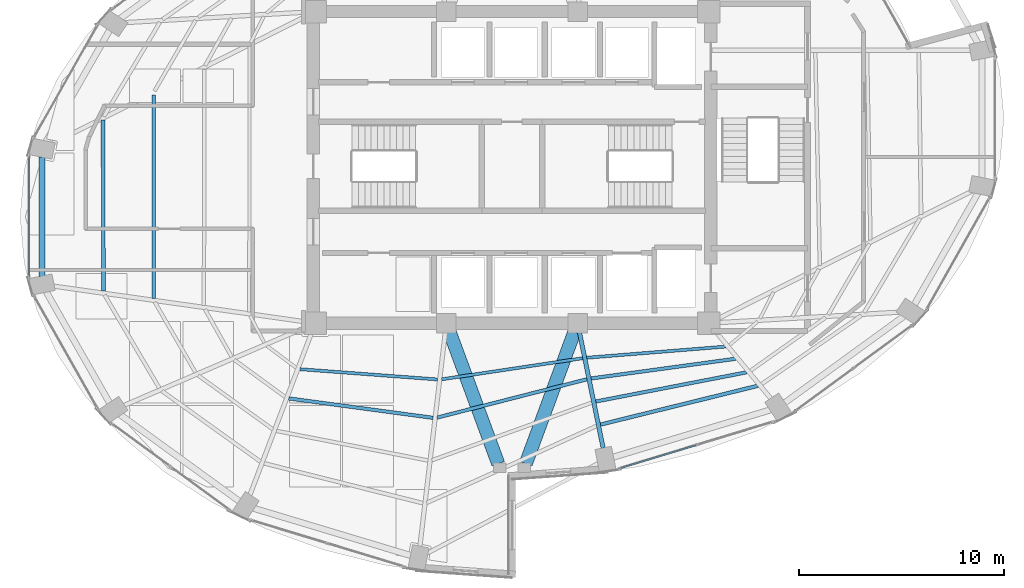
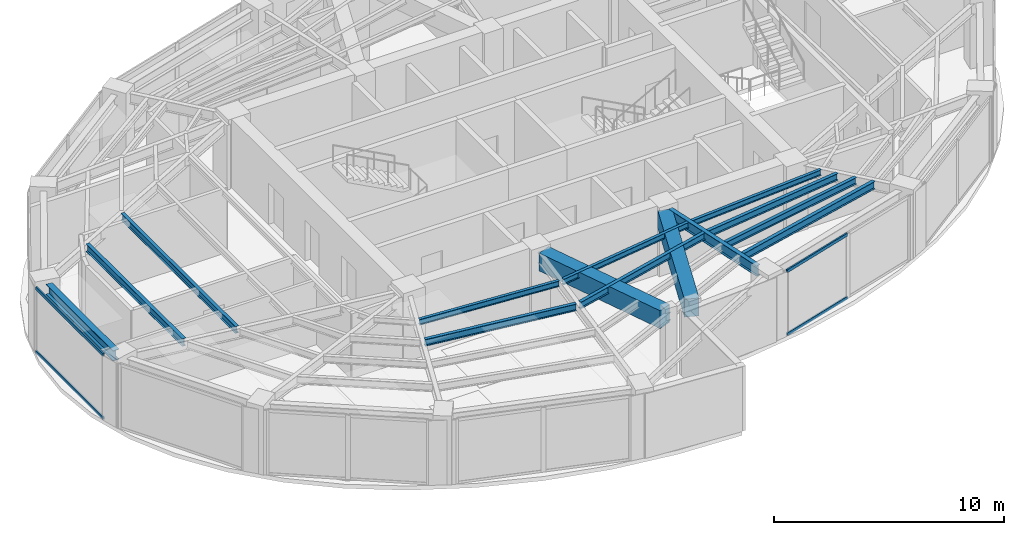
# One storey, part 5 of 19: 14 beams, 4 members, 2 elements without a shape of their own.
"""IFC4 building model written with IfcOpenShell, lengths in metres."""

from ifc_helpers import new_model, si_unit, direction, frame, origin, origin_2d, place, context, subcontext, project, spatial, rectangle, hollow_rectangle, i_section, extrude, material, layer, layer_set, material_profile, profile_set, type_object, element, aggregate, save


model = new_model("IFC4")

# Units and contexts
model_context = context("Model", 3, precision=1e-05, world=origin(), true_north=direction((0.0, 1.0)))
body_context = subcontext(model_context, "Body", "Model", "MODEL_VIEW")
ifc_project = project(units=[si_unit("LENGTHUNIT", "METRE"), si_unit("AREAUNIT", "SQUARE_METRE"), si_unit("VOLUMEUNIT", "CUBIC_METRE"), si_unit("PLANEANGLEUNIT", "RADIAN"), si_unit("MASSUNIT", "GRAM", prefix="KILO")], contexts=[model_context])

# Site, building, storey
site_placement = place(None, origin())
site = spatial("IfcSite", under=ifc_project, at=site_placement, CompositionType="ELEMENT")
building_placement = place(site_placement, origin())
building = spatial("IfcBuilding", under=site, at=building_placement, Name="Lazwardi Medical Tower", CompositionType="ELEMENT")
storey_placement = place(building_placement, frame((0.0, 0.0, 167.471923828125)))
storey = spatial("IfcBuildingStorey", under=building, at=storey_placement, Name="L43", CompositionType="ELEMENT", Elevation=167.471923828125)

# Beams
ifc_material_1 = material(Name="Concrete C60/75", Category="concrete")
ifc_material_profile_1 = material_profile(ifc_material_1, rectangle(XDim=0.64990234375, YDim=0.949951171875, at=origin_2d()), Name="RC 650x950")
ifc_profile_set_1 = profile_set([ifc_material_profile_1], Name="Concrete C60/75")
beam_type_1 = type_object("IfcBeamType", Name="BM-CB-RC2", PredefinedType="LINTEL", material=ifc_profile_set_1)
for number, where, z_axis, x_axis, name in (
    (1, (32.959228515625, 19.968505859375, 2.953125), (0.34601281054, -0.938229787921, 0.0), (0.938229787921, 0.34601281054, 0.0), "Core coupling lintel CB-02 PL3 L43"),
    (2, (39.040771484375, 19.968505859375, 2.953125), (-0.34601281054, -0.938229787921, 0.0), (0.938229787921, -0.34601281054, 0.0), "Core coupling lintel CB-02 PL4 L43"),
):
    element("IfcBeam", number, at=place(storey_placement, frame(where, z_axis=z_axis, x_axis=x_axis)), inside=storey, type_object=beam_type_1, Name=name, PredefinedType="LINTEL", context=body_context, shape_type="SweptSolid", body=[
        extrude(rectangle(XDim=0.64990234375, YDim=0.949951171875, at=origin_2d()), origin(), (0.0, 0.0, 1.0), 6.84423828125),
    ])
ifc_material_2 = material(Name="Steel S355", Category="steel")
ifc_material_profile_2 = material_profile(ifc_material_2, i_section(OverallWidth=0.300048828125, OverallDepth=0.550048828125, WebThickness=0.014892578125, FlangeThickness=0.029052734375, at=origin_2d()), Name="HEB 550")
ifc_profile_set_2 = profile_set([ifc_material_profile_2], Name="Steel S355")
beam_type_2 = type_object("IfcBeamType", Name="BM-RB-Z3", PredefinedType="BEAM", material=ifc_profile_set_2)
beam_1_placement = place(storey_placement, frame((13.07421875, 28.51171875, 3.153076171875), z_axis=(0.0, -1.0, 0.0), x_axis=(1.0, 0.0, 0.0)))
element("IfcBeam", 3, at=beam_1_placement, inside=storey, type_object=beam_type_2, Name="Ring beam RB-04 B12 L43", PredefinedType="BEAM", context=body_context, shape_type="SweptSolid", body=[
    extrude(i_section(OverallWidth=0.300048828125, OverallDepth=0.550048828125, WebThickness=0.014892578125, FlangeThickness=0.029052734375, at=origin_2d()), origin(), (0.0, 0.0, 1.0), 5.823486328125),
])
ifc_material_profile_3 = material_profile(ifc_material_2, i_section(OverallWidth=0.2099609375, OverallDepth=0.550048828125, WebThickness=0.010986328125, FlangeThickness=0.01708984375, at=origin_2d()), Name="IPE 550")
ifc_profile_set_3 = profile_set([ifc_material_profile_3], Name="Steel S355")
beam_type_3 = type_object("IfcBeamType", Name="BM-RG-W2", PredefinedType="BEAM", material=ifc_profile_set_3)
beam_2_placement = place(storey_placement, frame((40.447998046875, 14.2998046875, 3.153076171875), z_axis=(-0.200429485343, 0.979708130723, 0.0), x_axis=(-0.979708130723, -0.200429485343, 0.0)))
element("IfcBeam", 4, at=beam_2_placement, inside=storey, type_object=beam_type_3, Name="Radial girder RG-03 R01 L43", PredefinedType="BEAM", context=body_context, shape_type="SweptSolid", body=[
    extrude(i_section(OverallWidth=0.2099609375, OverallDepth=0.550048828125, WebThickness=0.010986328125, FlangeThickness=0.01708984375, at=origin_2d()), origin(), (0.0, 0.0, 1.0), 5.766357421875),
])
ifc_material_profile_4 = material_profile(ifc_material_2, i_section(OverallWidth=0.179931640625, OverallDepth=0.39990234375, WebThickness=0.008544921875, FlangeThickness=0.013427734375, at=origin_2d()), Name="IPE 400")
ifc_profile_set_4 = profile_set([ifc_material_profile_4], Name="Steel S355")
beam_type_4 = type_object("IfcBeamType", Name="BM-SJ-01", PredefinedType="JOIST", material=ifc_profile_set_4)
beam_3_placement = place(storey_placement, frame((40.31396484375, 15.45361328125, 3.22802734375), z_axis=(0.970912648168, 0.239433977597, 0.0), x_axis=(-0.239433977597, 0.970912648168, 0.0)))
element("IfcBeam", 5, at=beam_3_placement, inside=storey, type_object=beam_type_4, Name="Secondary joist SJ-01 R1 B01 L43", PredefinedType="JOIST", context=body_context, shape_type="SweptSolid", body=[
    extrude(i_section(OverallWidth=0.179931640625, OverallDepth=0.39990234375, WebThickness=0.008544921875, FlangeThickness=0.013427734375, at=origin_2d()), origin(), (0.0, 0.0, 1.0), 7.91162109375),
])
beam_4_placement = place(storey_placement, frame((16.04443359375, 30.30224609375, 3.22802734375), z_axis=(0.003864366017, -0.99999253331, 0.0), x_axis=(0.99999253331, 0.003864366017, 0.0)))
element("IfcBeam", 6, at=beam_4_placement, inside=storey, type_object=beam_type_4, Name="Secondary joist SJ-01 R1 B12 L43", PredefinedType="JOIST", context=body_context, shape_type="SweptSolid", body=[
    extrude(i_section(OverallWidth=0.179931640625, OverallDepth=0.39990234375, WebThickness=0.008544921875, FlangeThickness=0.013427734375, at=origin_2d()), origin(), (0.0, 0.0, 1.0), 8.33935546875),
])
ifc_material_profile_5 = material_profile(ifc_material_2, i_section(OverallWidth=0.169921875, OverallDepth=0.360107421875, WebThickness=0.008056640625, FlangeThickness=0.0126953125, at=origin_2d()), Name="IPE 360")
ifc_profile_set_5 = profile_set([ifc_material_profile_5], Name="Steel S355")
beam_type_5 = type_object("IfcBeamType", Name="BM-SJ-02", PredefinedType="JOIST", material=ifc_profile_set_5)
beam_5_placement = place(storey_placement, frame((40.083984375, 16.57861328125, 3.248046875), z_axis=(0.981753035865, 0.190160396953, 0.0), x_axis=(-0.190160396953, 0.981753035865, 0.0)))
element("IfcBeam", 7, at=beam_5_placement, inside=storey, type_object=beam_type_5, Name="Secondary joist SJ-02 R2 B01 L43", PredefinedType="JOIST", context=body_context, shape_type="SweptSolid", body=[
    extrude(i_section(OverallWidth=0.169921875, OverallDepth=0.360107421875, WebThickness=0.008056640625, FlangeThickness=0.0126953125, at=origin_2d()), origin(), (0.0, 0.0, 1.0), 7.50927734375),
])
beam_6_placement = place(storey_placement, frame((18.513671875, 31.541748046875, 3.248046875), z_axis=(0.001156040156, -0.999999331785, 0.0), x_axis=(0.999999331785, 0.001156040156, 0.0)))
element("IfcBeam", 8, at=beam_6_placement, inside=storey, type_object=beam_type_5, Name="Secondary joist SJ-02 R2 B12 L43", PredefinedType="JOIST", context=body_context, shape_type="SweptSolid", body=[
    extrude(i_section(OverallWidth=0.169921875, OverallDepth=0.360107421875, WebThickness=0.008056640625, FlangeThickness=0.0126953125, at=origin_2d()), origin(), (0.0, 0.0, 1.0), 9.92578125),
])
beam_7_placement = place(storey_placement, frame((39.853515625, 17.702880859375, 3.248046875), z_axis=(0.990832043476, 0.135099450852, 0.0), x_axis=(-0.135099450852, 0.990832043476, 0.0)))
element("IfcBeam", 9, at=beam_7_placement, inside=storey, type_object=beam_type_5, Name="Secondary joist SJ-02 R3 B01 L43", PredefinedType="JOIST", context=body_context, shape_type="SweptSolid", body=[
    extrude(i_section(OverallWidth=0.169921875, OverallDepth=0.360107421875, WebThickness=0.008056640625, FlangeThickness=0.0126953125, at=origin_2d()), origin(), (0.0, 0.0, 1.0), 7.129150390625),
])
beam_8_placement = place(storey_placement, frame((25.110107421875, 16.730224609375, 3.248046875), z_axis=(0.991056291961, -0.133444468468, 0.0), x_axis=(0.133444468468, 0.991056291961, 0.0)))
element("IfcBeam", 10, at=beam_8_placement, inside=storey, type_object=beam_type_5, Name="Secondary joist SJ-02 R3 B15 L43", PredefinedType="JOIST", context=body_context, shape_type="SweptSolid", body=[
    extrude(i_section(OverallWidth=0.169921875, OverallDepth=0.360107421875, WebThickness=0.008056640625, FlangeThickness=0.0126953125, at=origin_2d()), origin(), (0.0, 0.0, 1.0), 7.10400390625),
])
beam_9_placement = place(storey_placement, frame((32.3466796875, 15.793701171875, 3.248046875), z_axis=(0.96877632572, 0.247936344097, 0.0), x_axis=(-0.247936344097, 0.96877632572, 0.0)))
element("IfcBeam", 11, at=beam_9_placement, inside=storey, type_object=beam_type_5, Name="Secondary joist SJ-02 R3 B16 L43", PredefinedType="JOIST", context=body_context, shape_type="SweptSolid", body=[
    extrude(i_section(OverallWidth=0.169921875, OverallDepth=0.360107421875, WebThickness=0.008056640625, FlangeThickness=0.0126953125, at=origin_2d()), origin(), (0.0, 0.0, 1.0), 7.546630859375),
])
ifc_material_profile_6 = material_profile(ifc_material_2, i_section(OverallWidth=0.14990234375, OverallDepth=0.300048828125, WebThickness=0.007080078125, FlangeThickness=0.0107421875, at=origin_2d()), Name="IPE 300")
ifc_profile_set_6 = profile_set([ifc_material_profile_6], Name="Steel S355")
beam_type_6 = type_object("IfcBeamType", Name="BM-SJ-03", PredefinedType="JOIST", material=ifc_profile_set_6)
beam_10_placement = place(storey_placement, frame((39.646240234375, 18.71435546875, 3.278076171875), z_axis=(0.996785792338, 0.08011294647, 0.0), x_axis=(-0.08011294647, 0.996785792338, 0.0)))
element("IfcBeam", 12, at=beam_10_placement, inside=storey, type_object=beam_type_6, Name="Secondary joist SJ-03 R4 B01 L43", PredefinedType="JOIST", context=body_context, shape_type="SweptSolid", body=[
    extrude(i_section(OverallWidth=0.14990234375, OverallDepth=0.300048828125, WebThickness=0.007080078125, FlangeThickness=0.0107421875, at=origin_2d()), origin(), (0.0, 0.0, 1.0), 6.80810546875),
])
beam_11_placement = place(storey_placement, frame((25.650390625, 18.156494140625, 3.278076171875), z_axis=(0.99722699261, -0.074419924822, 0.0), x_axis=(0.074419924822, 0.99722699261, 0.0)))
element("IfcBeam", 13, at=beam_11_placement, inside=storey, type_object=beam_type_6, Name="Secondary joist SJ-03 R4 B15 L43", PredefinedType="JOIST", context=body_context, shape_type="SweptSolid", body=[
    extrude(i_section(OverallWidth=0.14990234375, OverallDepth=0.300048828125, WebThickness=0.007080078125, FlangeThickness=0.0107421875, at=origin_2d()), origin(), (0.0, 0.0, 1.0), 6.74169921875),
])
beam_12_placement = place(storey_placement, frame((32.57177734375, 17.662109375, 3.278076171875), z_axis=(0.98897469849, 0.148084589835, 0.0), x_axis=(-0.148084589835, 0.98897469849, 0.0)))
element("IfcBeam", 14, at=beam_12_placement, inside=storey, type_object=beam_type_6, Name="Secondary joist SJ-03 R4 B16 L43", PredefinedType="JOIST", context=body_context, shape_type="SweptSolid", body=[
    extrude(i_section(OverallWidth=0.14990234375, OverallDepth=0.300048828125, WebThickness=0.007080078125, FlangeThickness=0.0107421875, at=origin_2d()), origin(), (0.0, 0.0, 1.0), 6.952392578125),
])

# Curtain wall, members
ifc_material_3 = material(Name="Anodised bronze aluminium and solar control glazing", Category="aluminium")
ifc_layer = layer(ifc_material_3, 0.195068359375)
ifc_layer_set = layer_set([ifc_layer], Name="Anodised bronze aluminium and solar control glazing")
curtain_wall_type = type_object("IfcCurtainWallType", Name="CW-SYS-03", PredefinedType="NOTDEFINED", material=ifc_layer_set)
curtain_wall_1_placement = place(storey_placement, origin())
curtain_wall_1 = element("IfcCurtainWall", 15, at=curtain_wall_1_placement, inside=storey, type_object=curtain_wall_type, Name="L43 Unitised bronze curtain wall CW-03", PredefinedType="NOTDEFINED")
ifc_material_4 = material(Name="Anodised bronze aluminium", Category="aluminium")
ifc_material_profile_7 = material_profile(ifc_material_4, hollow_rectangle(XDim=0.074951171875, YDim=0.159912109375, WallThickness=0.00390625, at=origin_2d()), Name="ALU-TRANSOM 160x75x4")
ifc_profile_set_7 = profile_set([ifc_material_profile_7], Name="Anodised bronze aluminium")
member_type = type_object("IfcMemberType", Name="CW-TRN-01", PredefinedType="USERDEFINED", material=ifc_profile_set_7)
member_1_placement = place(storey_placement, frame((41.307861328125, 13.336669921875, 0.03759765625), z_axis=(0.956935517424, 0.290300560612, 0.0), x_axis=(-0.290300560612, 0.956935517424, 0.0)))
member_1 = element("IfcMember", 16, at=member_1_placement, type_object=member_type, Name="CW-03 transom 1.1", ObjectType="TRANSOM", PredefinedType="USERDEFINED", context=body_context, shape_type="SweptSolid", body=[
    extrude(hollow_rectangle(XDim=0.074951171875, YDim=0.159912109375, WallThickness=0.00390625, at=origin_2d()), origin(), (0.0, 0.0, 1.0), 3.836669921875),
])
member_2_placement = place(storey_placement, frame((41.307861328125, 13.336669921875, 3.390625), z_axis=(0.956935517424, 0.290300560612, 0.0), x_axis=(-0.290300560612, 0.956935517424, 0.0)))
member_2 = element("IfcMember", 17, at=member_2_placement, type_object=member_type, Name="CW-03 transom 1.2", ObjectType="TRANSOM", PredefinedType="USERDEFINED", context=body_context, shape_type="SweptSolid", body=[
    extrude(hollow_rectangle(XDim=0.074951171875, YDim=0.159912109375, WallThickness=0.00390625, at=origin_2d()), origin(), (0.0, 0.0, 1.0), 3.836669921875),
])
aggregate(curtain_wall_1, [member_1, member_2])

curtain_wall_2_placement = place(storey_placement, origin())
curtain_wall_2 = element("IfcCurtainWall", 18, at=curtain_wall_2_placement, inside=storey, type_object=curtain_wall_type, Name="L43 Unitised bronze curtain wall CW-03", PredefinedType="NOTDEFINED")
member_3_placement = place(storey_placement, frame((12.4423828125, 28.5205078125, 0.03759765625), z_axis=(0.0, -1.0, 0.0), x_axis=(1.0, 0.0, 0.0)))
member_3 = element("IfcMember", 19, at=member_3_placement, type_object=member_type, Name="CW-03 transom 1.1", ObjectType="TRANSOM", PredefinedType="USERDEFINED", context=body_context, shape_type="SweptSolid", body=[
    extrude(hollow_rectangle(XDim=0.074951171875, YDim=0.159912109375, WallThickness=0.00390625, at=origin_2d()), origin(), (0.0, 0.0, 1.0), 5.8408203125),
])
member_4_placement = place(storey_placement, frame((12.4423828125, 28.5205078125, 3.390625), z_axis=(0.0, -1.0, 0.0), x_axis=(1.0, 0.0, 0.0)))
member_4 = element("IfcMember", 20, at=member_4_placement, type_object=member_type, Name="CW-03 transom 1.2", ObjectType="TRANSOM", PredefinedType="USERDEFINED", context=body_context, shape_type="SweptSolid", body=[
    extrude(hollow_rectangle(XDim=0.074951171875, YDim=0.159912109375, WallThickness=0.00390625, at=origin_2d()), origin(), (0.0, 0.0, 1.0), 5.8408203125),
])
aggregate(curtain_wall_2, [member_3, member_4])

save(model, "model.ifc")
